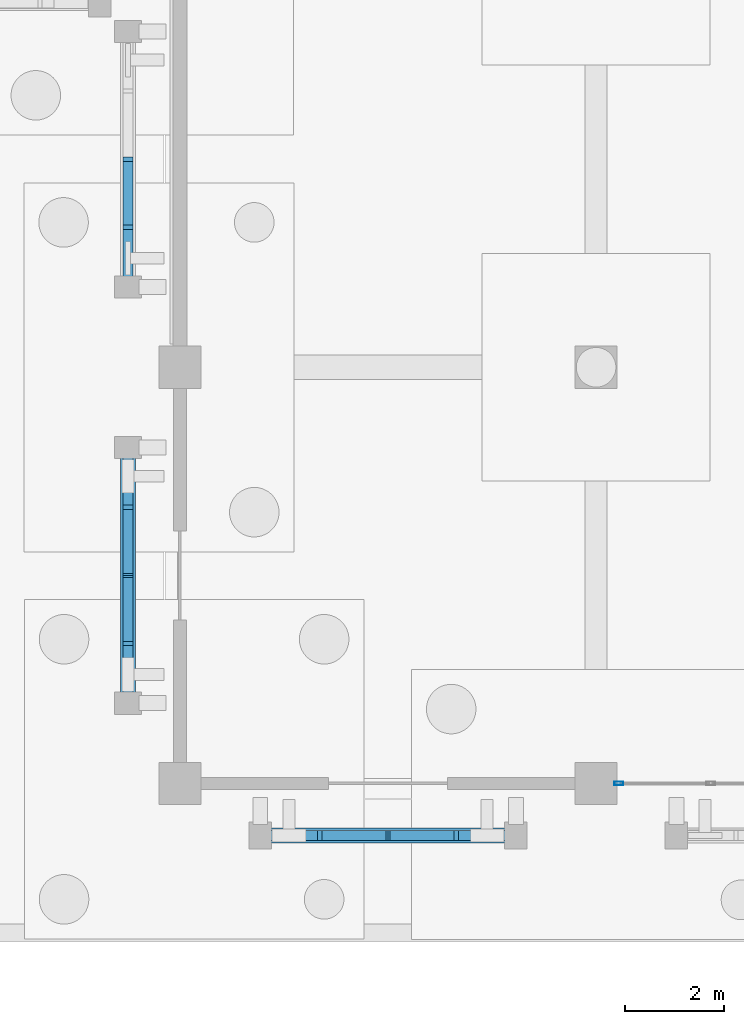
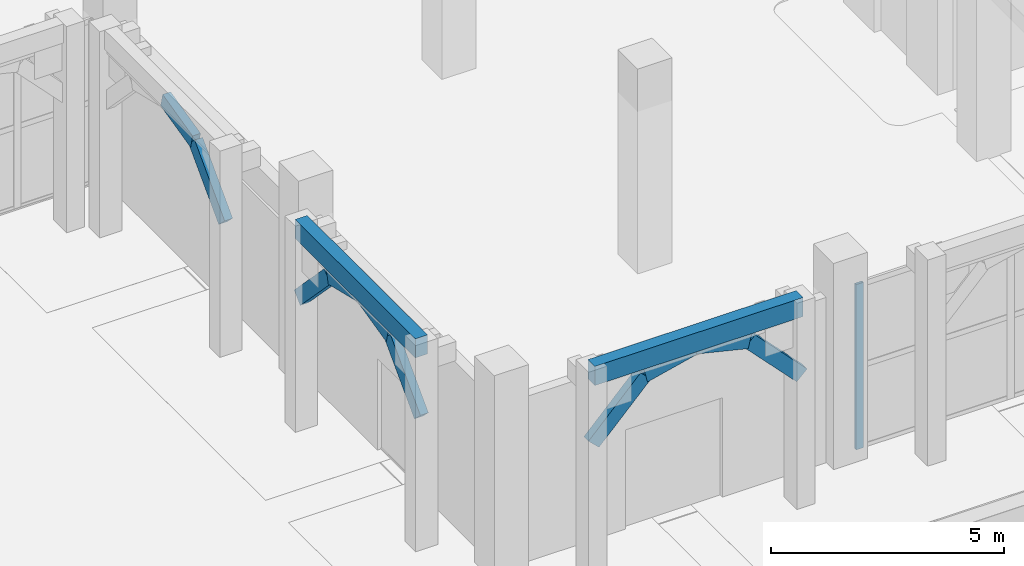
# One storey, part 12 of 98: 11 members, 2 beams, 1 element without a shape of its own.
"""IFC4 building model written with IfcOpenShell, lengths in metres."""

from ifc_helpers import new_model, si_unit, direction, frame, origin, origin_2d, place, context, subcontext, project, spatial, rectangle, hollow_rectangle, extrude, material, layer, layer_set, material_profile, profile_set, type_object, element, aggregate, save


model = new_model("IFC4")

# Units and contexts
model_context = context("Model", 3, precision=1e-05, world=origin(), true_north=direction((0.0, 1.0)))
body_context = subcontext(model_context, "Body", "Model", "MODEL_VIEW")
ifc_project = project(units=[si_unit("LENGTHUNIT", "METRE"), si_unit("AREAUNIT", "SQUARE_METRE"), si_unit("VOLUMEUNIT", "CUBIC_METRE"), si_unit("PLANEANGLEUNIT", "RADIAN"), si_unit("MASSUNIT", "GRAM", prefix="KILO")], contexts=[model_context])

# Site, building, storey
site_placement = place(None, origin())
site = spatial("IfcSite", under=ifc_project, at=site_placement, CompositionType="ELEMENT")
building_placement = place(site_placement, origin())
building = spatial("IfcBuilding", under=site, at=building_placement, Name="Xazarin Passage Department Store", CompositionType="ELEMENT")
storey_placement = place(building_placement, origin())
storey = spatial("IfcBuildingStorey", under=building, at=storey_placement, Name="L00", CompositionType="ELEMENT", Elevation=0.0)

# Curtain wall, member
ifc_material_1 = material(Name="Bronze anodised aluminium", Category="aluminium")
ifc_layer = layer(ifc_material_1, 0.18994140625)
ifc_layer_set = layer_set([ifc_layer], Name="Bronze anodised aluminium")
curtain_wall_type = type_object("IfcCurtainWallType", Name="ARC-CW-FDH1", PredefinedType="NOTDEFINED", material=ifc_layer_set)
curtain_wall_placement = place(storey_placement, origin())
curtain_wall = element("IfcCurtainWall", 1, at=curtain_wall_placement, inside=storey, type_object=curtain_wall_type, Name="L00 V3 Curtain Wall 118", PredefinedType="NOTDEFINED")
ifc_material_profile_1 = material_profile(ifc_material_1, hollow_rectangle(XDim=0.06494140625, YDim=0.179931640625, WallThickness=0.00390625, at=origin_2d()), Name="ALU 65x180")
ifc_profile_set_1 = profile_set([ifc_material_profile_1], Name="Bronze anodised aluminium")
member_type_1 = type_object("IfcMemberType", Name="ARC-CWM-65x180", PredefinedType="MULLION", material=ifc_profile_set_1)
member_1_placement = place(storey_placement, frame((17.257568359375, 0.0, 0.0), z_axis=(0.0, 0.0, 1.0), x_axis=(0.0, 1.0, 0.0)))
member_1 = element("IfcMember", 2, at=member_1_placement, type_object=member_type_1, Name="CW5 mullion 1", PredefinedType="MULLION", context=body_context, shape_type="SweptSolid", body=[
    extrude(hollow_rectangle(XDim=0.06494140625, YDim=0.179931640625, WallThickness=0.00390625, at=origin_2d()), origin(), (0.0, 0.0, 1.0), 4.330078125),
])
aggregate(curtain_wall, [member_1])

# Beams
ifc_material_2 = material(Name="Concrete C35/45", Category="concrete")
ifc_material_profile_2 = material_profile(ifc_material_2, rectangle(XDim=0.300048828125, YDim=0.5, at=origin_2d()), Name="RC 300x500")
ifc_profile_set_2 = profile_set([ifc_material_profile_2], Name="Concrete C35/45")
beam_type = type_object("IfcBeamType", Name="STR-BM-LN300x500", PredefinedType="LINTEL", material=ifc_profile_set_2)
for number, where, z_axis, x_axis, name in (
    (3, (10.02001953125, -1.050048828125, 5.14990234375), (1.0, 0.0, 0.0), (0.0, 1.0, 0.0), "L00 V3 Colonnade Spandrel Beam 027"),
    (4, (7.35009765625, 1.6201171875, 5.14990234375), (0.0, 1.0, 0.0), (-1.0, 0.0, 0.0), "L00 V3 Colonnade Spandrel Beam 038"),
):
    element("IfcBeam", number, at=place(storey_placement, frame(where, z_axis=z_axis, x_axis=x_axis)), inside=storey, type_object=beam_type, Name=name, PredefinedType="LINTEL", context=body_context, shape_type="SweptSolid", body=[
        extrude(rectangle(XDim=0.300048828125, YDim=0.5, at=origin_2d()), origin(), (0.0, 0.0, 1.0), 5.159912109375),
    ])

# Members
ifc_material_3 = material(Name="Concrete C40/50", Category="concrete")
ifc_material_profile_3 = material_profile(ifc_material_3, rectangle(XDim=0.199951171875, YDim=0.360107421875, at=origin_2d()), Name="RC 200x360")
ifc_profile_set_3 = profile_set([ifc_material_profile_3], Name="Concrete C40/50")
member_type_2 = type_object("IfcMemberType", Name="STR-MEM-ARC360", PredefinedType="CHORD", material=ifc_profile_set_3)
member_2_placement = place(storey_placement, frame((10.02001953125, -1.050048828125, 3.330078125), z_axis=(0.693460080602, 0.0, 0.720495049679), x_axis=(0.0, 1.0, 0.0)))
element("IfcMember", 5, at=member_2_placement, inside=storey, type_object=member_type_2, Name="L00 V3 Pierced Lattice Curved Arch 027.1", PredefinedType="CHORD", context=body_context, shape_type="SweptSolid", body=[
    extrude(rectangle(XDim=0.199951171875, YDim=0.360107421875, at=origin_2d()), origin(), (0.0, 0.0, 1.0), 1.8603515625),
])
member_3_placement = place(storey_placement, frame((11.31005859375, -1.050048828125, 4.67041015625), z_axis=(0.972393983317, 0.0, 0.233345111818), x_axis=(0.0, 1.0, 0.0)))
element("IfcMember", 6, at=member_3_placement, inside=storey, type_object=member_type_2, Name="L00 V3 Pierced Lattice Curved Arch 027.2", PredefinedType="CHORD", context=body_context, shape_type="SweptSolid", body=[
    extrude(rectangle(XDim=0.199951171875, YDim=0.360107421875, at=origin_2d()), origin(), (0.0, 0.0, 1.0), 1.32666015625),
])
member_4_placement = place(storey_placement, frame((12.60009765625, -1.050048828125, 4.97998046875), z_axis=(0.972383960415, 0.0, -0.233386875224), x_axis=(0.0, 1.0, 0.0)))
element("IfcMember", 7, at=member_4_placement, inside=storey, type_object=member_type_2, Name="L00 V3 Pierced Lattice Curved Arch 027.3", PredefinedType="CHORD", context=body_context, shape_type="SweptSolid", body=[
    extrude(rectangle(XDim=0.199951171875, YDim=0.360107421875, at=origin_2d()), origin(), (0.0, 0.0, 1.0), 1.326416015625),
])
member_5_placement = place(storey_placement, frame((13.889892578125, -1.050048828125, 4.67041015625), z_axis=(0.693460080602, 0.0, -0.720495049679), x_axis=(0.0, 1.0, 0.0)))
element("IfcMember", 8, at=member_5_placement, inside=storey, type_object=member_type_2, Name="L00 V3 Pierced Lattice Curved Arch 027.4", PredefinedType="CHORD", context=body_context, shape_type="SweptSolid", body=[
    extrude(rectangle(XDim=0.199951171875, YDim=0.360107421875, at=origin_2d()), origin(), (0.0, 0.0, 1.0), 1.8603515625),
])
member_6_placement = place(storey_placement, frame((7.35009765625, 1.6201171875, 3.330078125), z_axis=(0.0, 0.693391944082, 0.720560623322), x_axis=(-1.0, 0.0, 0.0)))
element("IfcMember", 9, at=member_6_placement, inside=storey, type_object=member_type_2, Name="L00 V3 Pierced Lattice Curved Arch 038.1", PredefinedType="CHORD", context=body_context, shape_type="SweptSolid", body=[
    extrude(rectangle(XDim=0.199951171875, YDim=0.360107421875, at=origin_2d()), origin(), (0.0, 0.0, 1.0), 1.860107421875),
])
for number, where, z_axis, x_axis, name in (
    (10, (7.35009765625, 2.909912109375, 4.67041015625), (0.0, 0.972393983317, 0.233345111818), (-1.0, 0.0, 0.0), "L00 V3 Pierced Lattice Curved Arch 038.2"),
    (11, (7.35009765625, 4.199951171875, 4.97998046875), (0.0, 0.972393983317, -0.233345111818), (-1.0, 0.0, 0.0), "L00 V3 Pierced Lattice Curved Arch 038.3"),
):
    element("IfcMember", number, at=place(storey_placement, frame(where, z_axis=z_axis, x_axis=x_axis)), inside=storey, type_object=member_type_2, Name=name, PredefinedType="CHORD", context=body_context, shape_type="SweptSolid", body=[
        extrude(rectangle(XDim=0.199951171875, YDim=0.360107421875, at=origin_2d()), origin(), (0.0, 0.0, 1.0), 1.32666015625),
    ])
for number, where, z_axis, x_axis, name in (
    (12, (7.35009765625, 5.489990234375, 4.67041015625), (0.0, 0.693460080602, -0.720495049679), (-1.0, 0.0, 0.0), "L00 V3 Pierced Lattice Curved Arch 038.4"),
    (13, (7.35009765625, 10.02001953125, 3.330078125), (0.0, 0.693460080602, 0.720495049679), (-1.0, 0.0, 0.0), "L00 V3 Pierced Lattice Curved Arch 039.1"),
):
    element("IfcMember", number, at=place(storey_placement, frame(where, z_axis=z_axis, x_axis=x_axis)), inside=storey, type_object=member_type_2, Name=name, PredefinedType="CHORD", context=body_context, shape_type="SweptSolid", body=[
        extrude(rectangle(XDim=0.199951171875, YDim=0.360107421875, at=origin_2d()), origin(), (0.0, 0.0, 1.0), 1.8603515625),
    ])
member_7_placement = place(storey_placement, frame((7.35009765625, 11.31005859375, 4.67041015625), z_axis=(0.0, 0.972393983317, 0.233345111818), x_axis=(-1.0, 0.0, 0.0)))
element("IfcMember", 14, at=member_7_placement, inside=storey, type_object=member_type_2, Name="L00 V3 Pierced Lattice Curved Arch 039.2", PredefinedType="CHORD", context=body_context, shape_type="SweptSolid", body=[
    extrude(rectangle(XDim=0.199951171875, YDim=0.360107421875, at=origin_2d()), origin(), (0.0, 0.0, 1.0), 1.32666015625),
])

save(model, "model.ifc")
